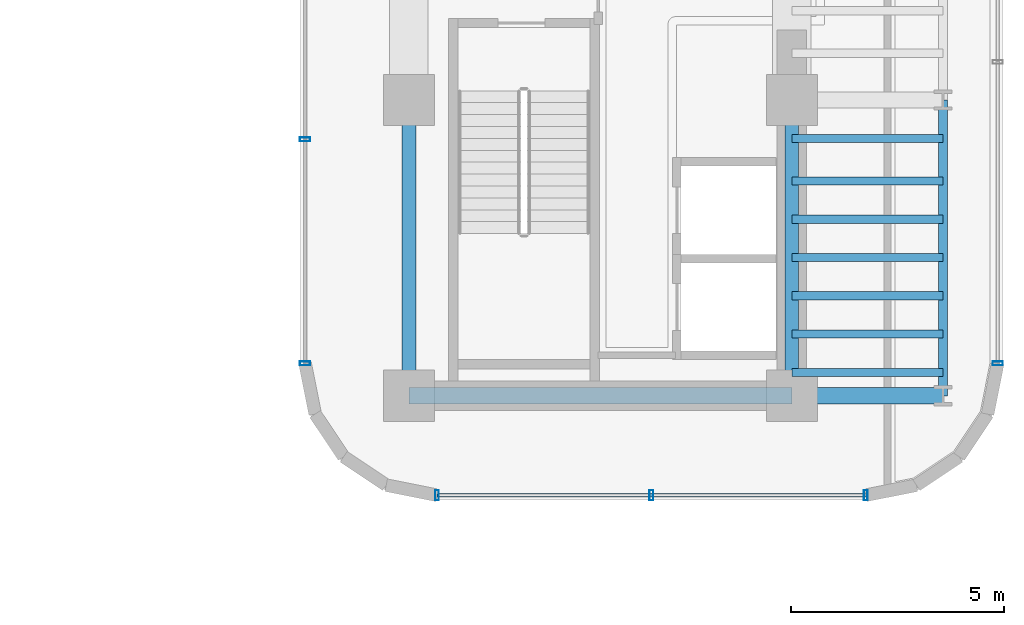
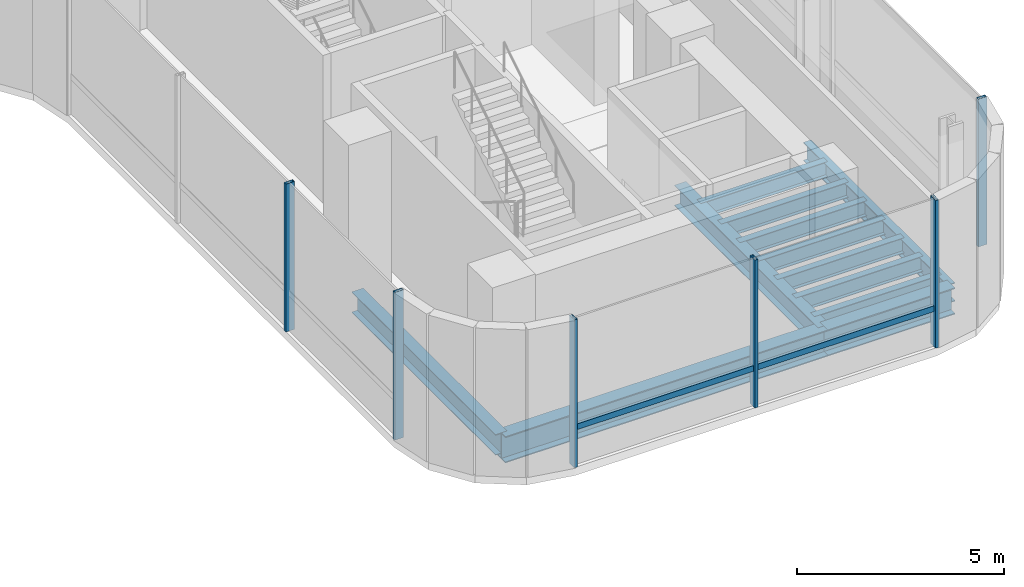
# One storey, part 11 of 32: 12 beams, 7 members, 3 elements without a shape of their own.
"""IFC4 building model written with IfcOpenShell, lengths in metres."""

from ifc_helpers import new_model, si_unit, direction, frame, origin, origin_2d, place, context, subcontext, project, spatial, hollow_rectangle, i_section, extrude, source, transform, mapped, material, material_profile, profile_set, type_object, element, aggregate, save


model = new_model("IFC4")

# Units and contexts
model_context = context("Model", 3, precision=1e-05, world=origin(), true_north=direction((0.0, 1.0)))
body_context = subcontext(model_context, "Body", "Model", "MODEL_VIEW")
ifc_project = project(units=[si_unit("LENGTHUNIT", "METRE"), si_unit("AREAUNIT", "SQUARE_METRE"), si_unit("VOLUMEUNIT", "CUBIC_METRE"), si_unit("PLANEANGLEUNIT", "RADIAN"), si_unit("MASSUNIT", "GRAM", prefix="KILO")], contexts=[model_context])

# Site, building, storey
site_placement = place(None, origin())
site = spatial("IfcSite", under=ifc_project, at=site_placement, CompositionType="ELEMENT")
building_placement = place(site_placement, origin())
building = spatial("IfcBuilding", under=site, at=building_placement, Name="Valdorenza Pilgrim Sanctuary Tower", CompositionType="ELEMENT")
storey_placement = place(building_placement, frame((0.0, 0.0, 101.10009765625)))
storey = spatial("IfcBuildingStorey", under=building, at=storey_placement, Name="L25", CompositionType="ELEMENT", Elevation=101.10009765625)

# Beams
ifc_material_1 = material(Name="Steel ASTM A992 Grade 50", Category="steel")
ifc_material_profile_1 = material_profile(ifc_material_1, i_section(OverallWidth=0.323974609375, OverallDepth=0.611083984375, WebThickness=0.0126953125, FlangeThickness=0.01904296875, at=origin_2d()), Name="W24X104")
ifc_profile_set_1 = profile_set([ifc_material_profile_1], Name="Steel ASTM A992 Grade 50")
beam_type_1 = type_object("IfcBeamType", Name="STR-BM-GRD-W24B", PredefinedType="BEAM", material=ifc_profile_set_1)
shared_shape_1 = source(origin(), body_context, "Body", "SweptSolid", [
    extrude(i_section(OverallWidth=0.323974609375, OverallDepth=0.611083984375, WebThickness=0.0126953125, FlangeThickness=0.01904296875, at=origin_2d()), origin(), (0.0, 0.0, 1.0), 6.949951171875),
])
for number, where, z_axis, x_axis, name in (
    (1, (15.85009765625, -9.550048828125, -0.545654296875), (0.0, 1.0, 0.0), (-1.0, 0.0, 0.0), "L25 Core Tie Girder CB-W-S1M0"),
    (2, (24.85009765625, -9.550048828125, -0.545654296875), (0.0, 1.0, 0.0), (-1.0, 0.0, 0.0), "L25 Core Tie Girder CB-E-S1M0"),
):
    element("IfcBeam", number, at=place(storey_placement, frame(where, z_axis=z_axis, x_axis=x_axis)), inside=storey, type_object=beam_type_1, Name=name, PredefinedType="BEAM", context=body_context, shape_type="MappedRepresentation", body=[
        mapped(shared_shape_1, transform((0.0, 0.0, 0.0), x_axis=(1.0, 0.0, 0.0), y_axis=(0.0, 1.0, 0.0), z_axis=(0.0, 0.0, 1.0), scale=1.0)),
    ])
ifc_material_profile_2 = material_profile(ifc_material_1, i_section(OverallWidth=0.214111328125, OverallDepth=0.549072265625, WebThickness=0.0146484375, FlangeThickness=0.023681640625, at=origin_2d()), Name="W21X93")
ifc_profile_set_2 = profile_set([ifc_material_profile_2], Name="Steel ASTM A992 Grade 50")
beam_type_2 = type_object("IfcBeamType", Name="STR-BM-SPN-W21A", PredefinedType="SPANDREL", material=ifc_profile_set_2)
shared_shape_2 = source(origin(), body_context, "Body", "SweptSolid", [
    extrude(i_section(OverallWidth=0.214111328125, OverallDepth=0.549072265625, WebThickness=0.0146484375, FlangeThickness=0.023681640625, at=origin_2d()), origin(), (0.0, 0.0, 1.0), 6.949951171875),
])
beam_1_placement = place(storey_placement, frame((28.39990234375, -9.550048828125, -0.5146484375), z_axis=(0.0, 1.0, 0.0), x_axis=(-1.0, 0.0, 0.0)))
element("IfcBeam", 3, at=beam_1_placement, inside=storey, type_object=beam_type_2, Name="L25 Spandrel Beam WB-E-S1M0", PredefinedType="SPANDREL", context=body_context, shape_type="MappedRepresentation", body=[
    mapped(shared_shape_2, transform((0.0, 0.0, 0.0), x_axis=(1.0, 0.0, 0.0), y_axis=(0.0, 1.0, 0.0), z_axis=(0.0, 0.0, 1.0), scale=1.0)),
])
ifc_material_profile_3 = material_profile(ifc_material_1, i_section(OverallWidth=0.382080078125, OverallDepth=0.779052734375, WebThickness=0.01806640625, FlangeThickness=0.030029296875, at=origin_2d()), Name="W30X191")
ifc_profile_set_3 = profile_set([ifc_material_profile_3], Name="Steel ASTM A992 Grade 50")
beam_type_3 = type_object("IfcBeamType", Name="STR-BM-GRD-W30", PredefinedType="BEAM", material=ifc_profile_set_3)
shared_shape_3 = source(origin(), body_context, "Body", "SweptSolid", [
    extrude(i_section(OverallWidth=0.382080078125, OverallDepth=0.779052734375, WebThickness=0.01806640625, FlangeThickness=0.030029296875, at=origin_2d()), origin(), (0.0, 0.0, 1.0), 9.0),
])
beam_2_placement = place(storey_placement, frame((15.85009765625, -9.550048828125, -0.629638671875), z_axis=(1.0, 0.0, 0.0), x_axis=(0.0, 1.0, 0.0)))
element("IfcBeam", 4, at=beam_2_placement, inside=storey, type_object=beam_type_3, Name="L25 Floor Girder CB-XC-S1", PredefinedType="BEAM", context=body_context, shape_type="MappedRepresentation", body=[
    mapped(shared_shape_3, transform((0.0, 0.0, 0.0), x_axis=(1.0, 0.0, 0.0), y_axis=(0.0, 1.0, 0.0), z_axis=(0.0, 0.0, 1.0), scale=1.0)),
])
shared_shape_4 = source(origin(), body_context, "Body", "SweptSolid", [
    extrude(i_section(OverallWidth=0.382080078125, OverallDepth=0.779052734375, WebThickness=0.01806640625, FlangeThickness=0.030029296875, at=origin_2d()), origin(), (0.0, 0.0, 1.0), 3.5498046875),
])
beam_3_placement = place(storey_placement, frame((24.85009765625, -9.550048828125, -0.629638671875), z_axis=(1.0, 0.0, 0.0), x_axis=(0.0, 1.0, 0.0)))
element("IfcBeam", 5, at=beam_3_placement, inside=storey, type_object=beam_type_3, Name="L25 Floor Girder WB-XE-S1", PredefinedType="BEAM", context=body_context, shape_type="MappedRepresentation", body=[
    mapped(shared_shape_4, transform((0.0, 0.0, 0.0), x_axis=(1.0, 0.0, 0.0), y_axis=(0.0, 1.0, 0.0), z_axis=(0.0, 0.0, 1.0), scale=1.0)),
])
ifc_material_profile_4 = material_profile(ifc_material_1, i_section(OverallWidth=0.19091796875, OverallDepth=0.45703125, WebThickness=0.009033203125, FlangeThickness=0.014404296875, at=origin_2d()), Name="W18X50")
ifc_profile_set_4 = profile_set([ifc_material_profile_4], Name="Steel ASTM A992 Grade 50")
beam_type_4 = type_object("IfcBeamType", Name="STR-BM-JST-W18B", PredefinedType="JOIST", material=ifc_profile_set_4)
shared_shape_5 = source(origin(), body_context, "Body", "SweptSolid", [
    extrude(i_section(OverallWidth=0.19091796875, OverallDepth=0.45703125, WebThickness=0.009033203125, FlangeThickness=0.014404296875, at=origin_2d()), origin(), (0.0, 0.0, 1.0), 3.5498046875),
])
for number, where, z_axis, x_axis, name in (
    (6, (24.85009765625, -9.0, -0.468505859375), (1.0, 0.0, 0.0), (0.0, 1.0, 0.0), "L25 Composite Floor Joist JST-WB-1"),
    (7, (24.85009765625, -8.10009765625, -0.468505859375), (1.0, 0.0, 0.0), (0.0, 1.0, 0.0), "L25 Composite Floor Joist JST-WB-2"),
    (8, (24.85009765625, -7.199951171875, -0.468505859375), (1.0, 0.0, 0.0), (0.0, 1.0, 0.0), "L25 Composite Floor Joist JST-WB-3"),
    (9, (24.85009765625, -6.300048828125, -0.468505859375), (1.0, 0.0, 0.0), (0.0, 1.0, 0.0), "L25 Composite Floor Joist JST-WB-4"),
    (10, (24.85009765625, -5.39990234375, -0.468505859375), (1.0, 0.0, 0.0), (0.0, 1.0, 0.0), "L25 Composite Floor Joist JST-WB-5"),
    (11, (24.85009765625, -4.5, -0.468505859375), (1.0, 0.0, 0.0), (0.0, 1.0, 0.0), "L25 Composite Floor Joist JST-WB-6"),
    (12, (24.85009765625, -3.5, -0.468505859375), (1.0, 0.0, 0.0), (0.0, 1.0, 0.0), "L25 Composite Floor Joist JST-WB-7"),
):
    element("IfcBeam", number, at=place(storey_placement, frame(where, z_axis=z_axis, x_axis=x_axis)), inside=storey, type_object=beam_type_4, Name=name, PredefinedType="JOIST", context=body_context, shape_type="MappedRepresentation", body=[
        mapped(shared_shape_5, transform((0.0, 0.0, 0.0), x_axis=(1.0, 0.0, 0.0), y_axis=(0.0, 1.0, 0.0), z_axis=(0.0, 0.0, 1.0), scale=1.0)),
    ])

# Curtain wall, member
ifc_material_2 = material(Name="Curtain-wall IGU glazing", Category="glass")
curtain_wall_type = type_object("IfcCurtainWallType", Name="CW-SYS-04", PredefinedType="NOTDEFINED", material=ifc_material_2)
curtain_wall_1_placement = place(storey_placement, origin())
curtain_wall_1 = element("IfcCurtainWall", 13, at=curtain_wall_1_placement, inside=storey, type_object=curtain_wall_type, Name="L25 Curtain Wall CW-L25-1-21", PredefinedType="NOTDEFINED")
ifc_material_3 = material(Name="Anodised aluminium AW-6060", Category="aluminium")
ifc_material_profile_5 = material_profile(ifc_material_3, hollow_rectangle(XDim=0.090087890625, YDim=0.239990234375, WallThickness=0.0048828125, at=origin_2d()), Name="ALU-M 240x90x5")
ifc_profile_set_5 = profile_set([ifc_material_profile_5], Name="Anodised aluminium AW-6060")
member_type_1 = type_object("IfcMemberType", Name="CW-MUL-04", PredefinedType="MULLION", material=ifc_profile_set_5)
shared_shape_6 = source(origin(), body_context, "Body", "SweptSolid", [
    extrude(hollow_rectangle(XDim=0.090087890625, YDim=0.239990234375, WallThickness=0.0048828125, at=origin_2d()), origin(), (0.0, 0.0, 1.0), 4.35986328125),
])
member_1_placement = place(storey_placement, frame((29.68994140625, -8.789306640625, 0.0), z_axis=(0.0, 0.0, 1.0), x_axis=(0.0, -1.0, 0.0)))
member_1 = element("IfcMember", 14, at=member_1_placement, type_object=member_type_1, Name="CW-L25-1-21 Mullion 4", PredefinedType="MULLION", context=body_context, shape_type="MappedRepresentation", body=[
    mapped(shared_shape_6, transform((0.0, 0.0, 0.0), x_axis=(1.0, 0.0, 0.0), y_axis=(0.0, 1.0, 0.0), z_axis=(0.0, 0.0, 1.0), scale=1.0)),
])
aggregate(curtain_wall_1, [member_1])

# Curtain wall, members
curtain_wall_2_placement = place(storey_placement, origin())
curtain_wall_2 = element("IfcCurtainWall", 15, at=curtain_wall_2_placement, inside=storey, type_object=curtain_wall_type, Name="L25 Curtain Wall CW-L25-1-26", PredefinedType="NOTDEFINED")
member_2_placement = place(storey_placement, frame((26.589111328125, -11.889892578125, 0.0), z_axis=(0.0, 0.0, 1.0), x_axis=(-1.0, 0.0, 0.0)))
member_2 = element("IfcMember", 16, at=member_2_placement, type_object=member_type_1, Name="CW-L25-1-26 Mullion 1", PredefinedType="MULLION", context=body_context, shape_type="MappedRepresentation", body=[
    mapped(shared_shape_6, transform((0.0, 0.0, 0.0), x_axis=(1.0, 0.0, 0.0), y_axis=(0.0, 1.0, 0.0), z_axis=(0.0, 0.0, 1.0), scale=1.0)),
])
member_3_placement = place(storey_placement, frame((21.550048828125, -11.889892578125, 0.0), z_axis=(0.0, 0.0, 1.0), x_axis=(-1.0, 0.0, 0.0)))
member_3 = element("IfcMember", 17, at=member_3_placement, type_object=member_type_1, Name="CW-L25-1-26 Mullion 2", PredefinedType="MULLION", context=body_context, shape_type="MappedRepresentation", body=[
    mapped(shared_shape_6, transform((0.0, 0.0, 0.0), x_axis=(1.0, 0.0, 0.0), y_axis=(0.0, 1.0, 0.0), z_axis=(0.0, 0.0, 1.0), scale=1.0)),
])
member_4_placement = place(storey_placement, frame((16.5107421875, -11.889892578125, 0.0), z_axis=(0.0, 0.0, 1.0), x_axis=(-1.0, 0.0, 0.0)))
member_4 = element("IfcMember", 18, at=member_4_placement, type_object=member_type_1, Name="CW-L25-1-26 Mullion 3", PredefinedType="MULLION", context=body_context, shape_type="MappedRepresentation", body=[
    mapped(shared_shape_6, transform((0.0, 0.0, 0.0), x_axis=(1.0, 0.0, 0.0), y_axis=(0.0, 1.0, 0.0), z_axis=(0.0, 0.0, 1.0), scale=1.0)),
])

curtain_wall_3_placement = place(storey_placement, origin())
curtain_wall_3 = element("IfcCurtainWall", 19, at=curtain_wall_3_placement, inside=storey, type_object=curtain_wall_type, Name="L25 Curtain Wall CW-L25-1-31", PredefinedType="NOTDEFINED")
member_5_placement = place(storey_placement, frame((13.409912109375, -8.789306640625, 0.0), z_axis=(0.0, 0.0, 1.0), x_axis=(0.0, 1.0, 0.0)))
member_5 = element("IfcMember", 20, at=member_5_placement, type_object=member_type_1, Name="CW-L25-1-31 Mullion 1", PredefinedType="MULLION", context=body_context, shape_type="MappedRepresentation", body=[
    mapped(shared_shape_6, transform((0.0, 0.0, 0.0), x_axis=(1.0, 0.0, 0.0), y_axis=(0.0, 1.0, 0.0), z_axis=(0.0, 0.0, 1.0), scale=1.0)),
])
member_6_placement = place(storey_placement, frame((13.409912109375, -3.5224609375, 0.0), z_axis=(0.0, 0.0, 1.0), x_axis=(0.0, 1.0, 0.0)))
member_6 = element("IfcMember", 21, at=member_6_placement, type_object=member_type_1, Name="CW-L25-1-31 Mullion 2", PredefinedType="MULLION", context=body_context, shape_type="MappedRepresentation", body=[
    mapped(shared_shape_6, transform((0.0, 0.0, 0.0), x_axis=(1.0, 0.0, 0.0), y_axis=(0.0, 1.0, 0.0), z_axis=(0.0, 0.0, 1.0), scale=1.0)),
])
aggregate(curtain_wall_3, [member_5, member_6])

# Member
ifc_material_profile_6 = material_profile(ifc_material_3, hollow_rectangle(XDim=0.080078125, YDim=0.169921875, WallThickness=0.00390625, at=origin_2d()), Name="ALU-T 170x80x4")
ifc_profile_set_6 = profile_set([ifc_material_profile_6], Name="Anodised aluminium AW-6060")
member_type_2 = type_object("IfcMemberType", Name="CW-TRN-04", PredefinedType="USERDEFINED", material=ifc_profile_set_6)
shared_shape_7 = source(origin(), body_context, "Body", "SweptSolid", [
    extrude(hollow_rectangle(XDim=0.080078125, YDim=0.169921875, WallThickness=0.00390625, at=origin_2d()), origin(), (0.0, 0.0, 1.0), 10.078369140625),
])
member_7_placement = place(storey_placement, frame((26.589111328125, -11.889892578125, 1.119873046875), z_axis=(-1.0, 0.0, 0.0), x_axis=(0.0, -1.0, 0.0)))
member_7 = element("IfcMember", 22, at=member_7_placement, type_object=member_type_2, Name="CW-L25-1-26 Transom 1", ObjectType="TRANSOM", PredefinedType="USERDEFINED", context=body_context, shape_type="MappedRepresentation", body=[
    mapped(shared_shape_7, transform((0.0, 0.0, 0.0), x_axis=(1.0, 0.0, 0.0), y_axis=(0.0, 1.0, 0.0), z_axis=(0.0, 0.0, 1.0), scale=1.0)),
])

aggregate(curtain_wall_2, [member_2, member_3, member_4, member_7])

save(model, "model.ifc")
